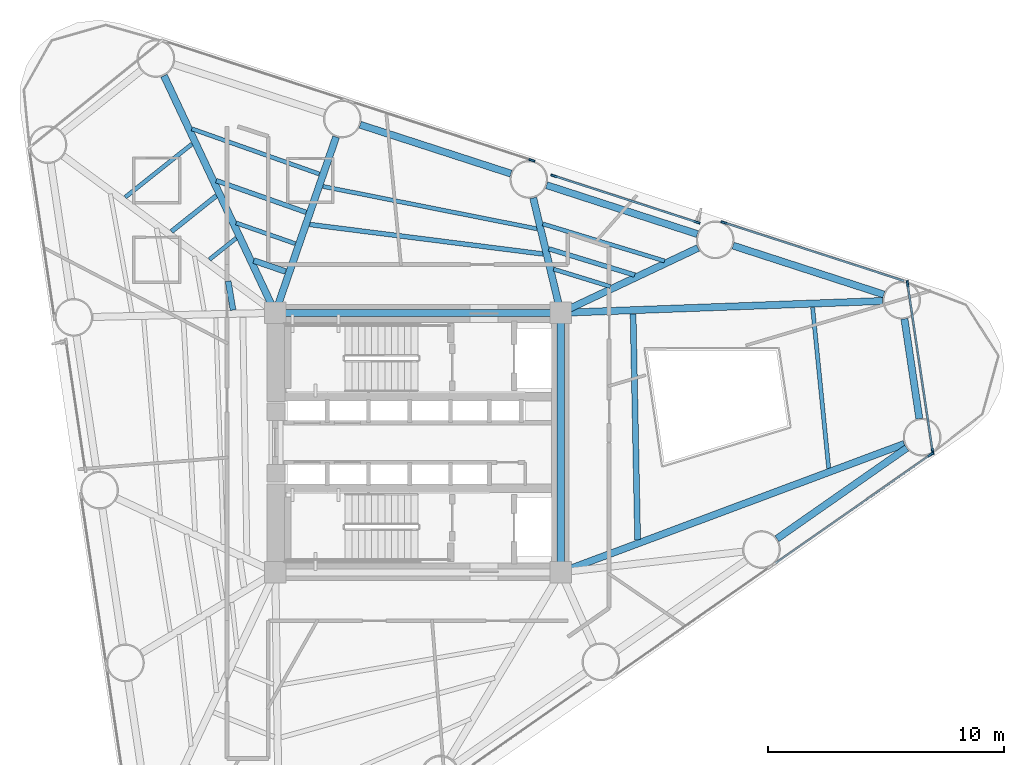
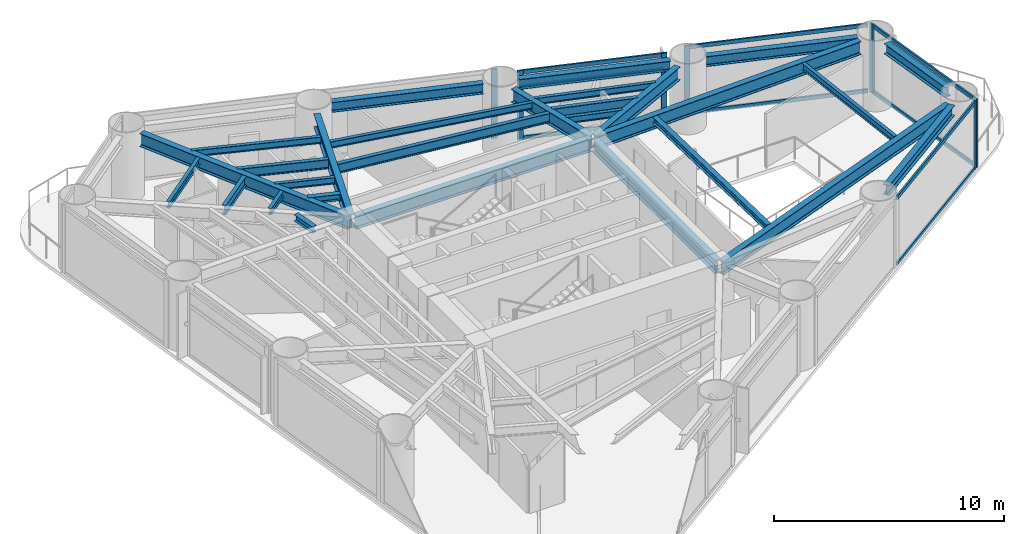
# One storey, part 3 of 9: 28 beams, 16 members, 5 elements without a shape of their own.
"""IFC4 building model written with IfcOpenShell, lengths in metres."""

from ifc_helpers import new_model, si_unit, direction, frame, origin, origin_2d, place, context, subcontext, project, spatial, rectangle, i_section, extrude, source, transform, mapped, material, layer, layer_set, material_profile, profile_set, type_object, element, aggregate, save


model = new_model("IFC4")

# Units and contexts
model_context = context("Model", 3, precision=1e-05, world=origin(), true_north=direction((0.0, 1.0)))
body_context = subcontext(model_context, "Body", "Model", "MODEL_VIEW")
ifc_project = project(units=[si_unit("LENGTHUNIT", "METRE"), si_unit("AREAUNIT", "SQUARE_METRE"), si_unit("VOLUMEUNIT", "CUBIC_METRE"), si_unit("PLANEANGLEUNIT", "RADIAN"), si_unit("MASSUNIT", "GRAM", prefix="KILO")], contexts=[model_context])

# Site, building, storey
site_placement = place(None, origin())
site = spatial("IfcSite", under=ifc_project, at=site_placement, CompositionType="ELEMENT")
building_placement = place(site_placement, origin())
building = spatial("IfcBuilding", under=site, at=building_placement, Name="Yunling Apex Tower", CompositionType="ELEMENT")
storey_placement = place(building_placement, frame((0.0, 0.0, 69.800048828125)))
storey = spatial("IfcBuildingStorey", under=building, at=storey_placement, Name="L18", CompositionType="ELEMENT", Elevation=69.800048828125)

# Beams
ifc_material_1 = material(Name="Steel Q355B", Category="steel")
ifc_material_profile_1 = material_profile(ifc_material_1, i_section(OverallWidth=0.300048828125, OverallDepth=0.699951171875, WebThickness=0.012939453125, FlangeThickness=0.02392578125, FilletRadius=0.02587890625, at=origin_2d()))
ifc_profile_set_1 = profile_set([ifc_material_profile_1], Name="Steel Q355B")
beam_type_1 = type_object("IfcBeamType", Name="BG-PRI-3", PredefinedType="USERDEFINED", material=ifc_profile_set_1)
shared_shape_1 = source(origin(), body_context, "Body", "SweptSolid", [
    extrude(i_section(OverallWidth=0.300048828125, OverallDepth=0.699951171875, WebThickness=0.012939453125, FlangeThickness=0.02392578125, FilletRadius=0.02587890625, at=origin_2d()), origin(), (0.0, 0.0, 1.0), 11.7998046875),
])
beam_1_placement = place(storey_placement, frame((5.89990234375, 5.5, 3.21484375), z_axis=(-1.0, 0.0, 0.0), x_axis=(0.0, -1.0, 0.0)))
element("IfcBeam", 1, at=beam_1_placement, inside=storey, type_object=beam_type_1, Name="L18 Core Ring Tie Beam 3", ObjectType="GIRDER", PredefinedType="USERDEFINED", context=body_context, shape_type="MappedRepresentation", body=[
    mapped(shared_shape_1, transform((0.0, 0.0, 0.0), scale=1.0)),
])
shared_shape_2 = source(origin(), body_context, "Body", "SweptSolid", [
    extrude(i_section(OverallWidth=0.300048828125, OverallDepth=0.699951171875, WebThickness=0.012939453125, FlangeThickness=0.02392578125, FilletRadius=0.02587890625, at=origin_2d()), origin(), (0.0, 0.0, 1.0), 10.7001953125),
])
beam_2_placement = place(storey_placement, frame((6.050048828125, -5.35009765625, 3.21484375), z_axis=(0.0, 1.0, 0.0), x_axis=(-1.0, 0.0, 0.0)))
element("IfcBeam", 2, at=beam_2_placement, inside=storey, type_object=beam_type_1, Name="L18 Core Ring Tie Beam 2", ObjectType="GIRDER", PredefinedType="USERDEFINED", context=body_context, shape_type="MappedRepresentation", body=[
    mapped(shared_shape_2, transform((0.0, 0.0, 0.0), scale=1.0)),
])
ifc_material_profile_2 = material_profile(ifc_material_1, i_section(OverallWidth=0.300048828125, OverallDepth=0.5400390625, WebThickness=0.011962890625, FlangeThickness=0.02001953125, FilletRadius=0.02392578125, at=origin_2d()))
ifc_profile_set_2 = profile_set([ifc_material_profile_2], Name="Steel Q355B")
beam_type_2 = type_object("IfcBeamType", Name="BP-SPN-1", PredefinedType="SPANDREL", material=ifc_profile_set_2)
shared_shape_3 = source(origin(), body_context, "Body", "SweptSolid", [
    extrude(i_section(OverallWidth=0.300048828125, OverallDepth=0.5400390625, WebThickness=0.011962890625, FlangeThickness=0.02001953125, FilletRadius=0.02392578125, at=origin_2d()), origin(), (0.0, 0.0, 1.0), 6.721435546875),
])
for number, where, z_axis, x_axis, name in (
    (3, (15.212158203125, -4.08056640625, 3.294921875), (0.81955772083, 0.572996633697, 0.0), (-0.572996633697, 0.81955772083, 0.0), "L18 Perimeter Spandrel Beam 4"),
    (4, (19.748291015625, 6.277099609375, 3.294921875), (-0.95126256707, 0.308382114415, 0.0), (-0.308382114415, -0.95126256707, 0.0), "L18 Perimeter Spandrel Beam 6"),
    (5, (3.939453125, 11.401611328125, 3.294921875), (-0.95126256707, 0.308382114415, 0.0), (-0.308382114415, -0.95126256707, 0.0), "L18 Perimeter Spandrel Beam 8"),
):
    element("IfcBeam", number, at=place(storey_placement, frame(where, z_axis=z_axis, x_axis=x_axis)), inside=storey, type_object=beam_type_2, Name=name, PredefinedType="SPANDREL", context=body_context, shape_type="MappedRepresentation", body=[
        mapped(shared_shape_3, transform((0.0, 0.0, 0.0), scale=1.0)),
    ])
shared_shape_4 = source(origin(), body_context, "Body", "SweptSolid", [
    extrude(i_section(OverallWidth=0.300048828125, OverallDepth=0.5400390625, WebThickness=0.011962890625, FlangeThickness=0.02001953125, FilletRadius=0.02392578125, at=origin_2d()), origin(), (0.0, 0.0, 1.0), 4.283203125),
])
beam_3_placement = place(storey_placement, frame((21.25390625, 1.010986328125, 3.294921875), z_axis=(-0.147802479388, 0.989016899293, 0.0), x_axis=(-0.989016899293, -0.147802479388, 0.0)))
element("IfcBeam", 6, at=beam_3_placement, inside=storey, type_object=beam_type_2, Name="L18 Perimeter Spandrel Beam 5", PredefinedType="SPANDREL", context=body_context, shape_type="MappedRepresentation", body=[
    mapped(shared_shape_4, transform((0.0, 0.0, 0.0), scale=1.0)),
])
shared_shape_5 = source(origin(), body_context, "Body", "SweptSolid", [
    extrude(i_section(OverallWidth=0.300048828125, OverallDepth=0.5400390625, WebThickness=0.011962890625, FlangeThickness=0.02001953125, FilletRadius=0.02392578125, at=origin_2d()), origin(), (0.0, 0.0, 1.0), 6.72119140625),
])
beam_4_placement = place(storey_placement, frame((11.84375, 8.83935546875, 3.294921875), z_axis=(-0.951259112593, 0.308392770197, 0.0), x_axis=(-0.308392770197, -0.951259112593, 0.0)))
element("IfcBeam", 7, at=beam_4_placement, inside=storey, type_object=beam_type_2, Name="L18 Perimeter Spandrel Beam 7", PredefinedType="SPANDREL", context=body_context, shape_type="MappedRepresentation", body=[
    mapped(shared_shape_5, transform((0.0, 0.0, 0.0), scale=1.0)),
])
shared_shape_6 = source(origin(), body_context, "Body", "SweptSolid", [
    extrude(i_section(OverallWidth=0.300048828125, OverallDepth=0.699951171875, WebThickness=0.012939453125, FlangeThickness=0.02392578125, FilletRadius=0.02587890625, at=origin_2d()), origin(), (0.0, 0.0, 1.0), 15.46826171875),
])
beam_5_placement = place(storey_placement, frame((20.614501953125, -0.05712890625, 3.21484375), z_axis=(-0.936727481876, -0.350059458804, 0.0), x_axis=(0.350059458804, -0.936727481876, 0.0)))
element("IfcBeam", 8, at=beam_5_placement, inside=storey, type_object=beam_type_1, Name="L18 Radial Primary Girder R05", ObjectType="GIRDER", PredefinedType="USERDEFINED", context=body_context, shape_type="MappedRepresentation", body=[
    mapped(shared_shape_6, transform((0.0, 0.0, 0.0), scale=1.0)),
])
shared_shape_7 = source(origin(), body_context, "Body", "SweptSolid", [
    extrude(i_section(OverallWidth=0.300048828125, OverallDepth=0.699951171875, WebThickness=0.012939453125, FlangeThickness=0.02392578125, FilletRadius=0.02587890625, at=origin_2d()), origin(), (0.0, 0.0, 1.0), 13.575439453125),
])
beam_6_placement = place(storey_placement, frame((19.696044921875, 6.002685546875, 3.21484375), z_axis=(-0.99932215556, -0.036813440575, 0.0), x_axis=(0.036813440575, -0.99932215556, 0.0)))
element("IfcBeam", 9, at=beam_6_placement, inside=storey, type_object=beam_type_1, Name="L18 Radial Primary Girder R06", ObjectType="GIRDER", PredefinedType="USERDEFINED", context=body_context, shape_type="MappedRepresentation", body=[
    mapped(shared_shape_7, transform((0.0, 0.0, 0.0), scale=1.0)),
])
shared_shape_8 = source(origin(), body_context, "Body", "SweptSolid", [
    extrude(i_section(OverallWidth=0.300048828125, OverallDepth=0.699951171875, WebThickness=0.012939453125, FlangeThickness=0.02392578125, FilletRadius=0.02587890625, at=origin_2d()), origin(), (0.0, 0.0, 1.0), 6.35546875),
])
beam_7_placement = place(storey_placement, frame((11.86865234375, 8.24951171875, 3.21484375), z_axis=(-0.90414025985, -0.427235755196, 0.0), x_axis=(0.427235755196, -0.90414025985, 0.0)))
element("IfcBeam", 10, at=beam_7_placement, inside=storey, type_object=beam_type_1, Name="L18 Radial Primary Girder R07", ObjectType="GIRDER", PredefinedType="USERDEFINED", context=body_context, shape_type="MappedRepresentation", body=[
    mapped(shared_shape_8, transform((0.0, 0.0, 0.0), scale=1.0)),
])
shared_shape_9 = source(origin(), body_context, "Body", "SweptSolid", [
    extrude(i_section(OverallWidth=0.300048828125, OverallDepth=0.699951171875, WebThickness=0.012939453125, FlangeThickness=0.02392578125, FilletRadius=0.02587890625, at=origin_2d()), origin(), (0.0, 0.0, 1.0), 4.928955078125),
])
beam_8_placement = place(storey_placement, frame((4.883056640625, 10.37109375, 3.21484375), z_axis=(0.233002001977, -0.972476255276, 0.0), x_axis=(0.972476255276, 0.233002001977, 0.0)))
element("IfcBeam", 11, at=beam_8_placement, inside=storey, type_object=beam_type_1, Name="L18 Radial Primary Girder R08", ObjectType="GIRDER", PredefinedType="USERDEFINED", context=body_context, shape_type="MappedRepresentation", body=[
    mapped(shared_shape_9, transform((0.0, 0.0, 0.0), scale=1.0)),
])
shared_shape_10 = source(origin(), body_context, "Body", "SweptSolid", [
    extrude(i_section(OverallWidth=0.300048828125, OverallDepth=0.699951171875, WebThickness=0.012939453125, FlangeThickness=0.02392578125, FilletRadius=0.02587890625, at=origin_2d()), origin(), (0.0, 0.0, 1.0), 7.807861328125),
])
beam_9_placement = place(storey_placement, frame((-3.473388671875, 12.955322265625, 3.21484375), z_axis=(-0.326658398033, -0.945142471268, 0.0), x_axis=(0.945142471268, -0.326658398033, 0.0)))
element("IfcBeam", 12, at=beam_9_placement, inside=storey, type_object=beam_type_1, Name="L18 Radial Primary Girder R09", ObjectType="GIRDER", PredefinedType="USERDEFINED", context=body_context, shape_type="MappedRepresentation", body=[
    mapped(shared_shape_10, transform((0.0, 0.0, 0.0), scale=1.0)),
])
shared_shape_11 = source(origin(), body_context, "Body", "SweptSolid", [
    extrude(i_section(OverallWidth=0.300048828125, OverallDepth=0.699951171875, WebThickness=0.012939453125, FlangeThickness=0.02392578125, FilletRadius=0.02587890625, at=origin_2d()), origin(), (0.0, 0.0, 1.0), 11.0234375),
])
beam_10_placement = place(storey_placement, frame((-10.7705078125, 15.550048828125, 3.21484375), z_axis=(0.425144169149, -0.905125646216, 0.0), x_axis=(0.905125646216, 0.425144169149, 0.0)))
element("IfcBeam", 13, at=beam_10_placement, inside=storey, type_object=beam_type_1, Name="L18 Radial Primary Girder R10", ObjectType="GIRDER", PredefinedType="USERDEFINED", context=body_context, shape_type="MappedRepresentation", body=[
    mapped(shared_shape_11, transform((0.0, 0.0, 0.0), scale=1.0)),
])
ifc_material_profile_3 = material_profile(ifc_material_1, i_section(OverallWidth=0.175048828125, OverallDepth=0.35009765625, WebThickness=0.007080078125, FlangeThickness=0.010986328125, FilletRadius=0.013916015625, at=origin_2d()))
ifc_profile_set_3 = profile_set([ifc_material_profile_3], Name="Steel Q355B")
beam_type_3 = type_object("IfcBeamType", Name="BJ-JST-1", PredefinedType="JOIST", material=ifc_profile_set_3)
shared_shape_12 = source(origin(), body_context, "Body", "SweptSolid", [
    extrude(i_section(OverallWidth=0.175048828125, OverallDepth=0.35009765625, WebThickness=0.007080078125, FlangeThickness=0.010986328125, FilletRadius=0.013916015625, at=origin_2d()), origin(), (0.0, 0.0, 1.0), 6.856689453125),
])
beam_11_placement = place(storey_placement, frame((17.410888671875, -1.089111328125, 3.389892578125), z_axis=(-0.099697612772, 0.995017781754, 0.0), x_axis=(-0.995017781754, -0.099697612772, 0.0)))
element("IfcBeam", 14, at=beam_11_placement, inside=storey, type_object=beam_type_3, Name="L18 Composite Floor Joist BJ1-5", PredefinedType="JOIST", context=body_context, shape_type="MappedRepresentation", body=[
    mapped(shared_shape_12, transform((0.0, 0.0, 0.0), scale=1.0)),
])
ifc_material_profile_4 = material_profile(ifc_material_1, i_section(OverallWidth=0.25, OverallDepth=0.340087890625, WebThickness=0.009033203125, FlangeThickness=0.013916015625, FilletRadius=0.01806640625, at=origin_2d()))
ifc_profile_set_4 = profile_set([ifc_material_profile_4], Name="Steel Q355B")
beam_type_4 = type_object("IfcBeamType", Name="BJ-JST-2", PredefinedType="JOIST", material=ifc_profile_set_4)
shared_shape_13 = source(origin(), body_context, "Body", "SweptSolid", [
    extrude(i_section(OverallWidth=0.25, OverallDepth=0.340087890625, WebThickness=0.009033203125, FlangeThickness=0.013916015625, FilletRadius=0.01806640625, at=origin_2d()), origin(), (0.0, 0.0, 1.0), 9.57568359375),
])
beam_12_placement = place(storey_placement, frame((9.309326171875, -4.120849609375, 3.39501953125), z_axis=(-0.020014350968, 0.999799692816, 0.0), x_axis=(-0.999799692816, -0.020014350968, 0.0)))
element("IfcBeam", 15, at=beam_12_placement, inside=storey, type_object=beam_type_4, Name="L18 Composite Floor Joist BJ2-5", PredefinedType="JOIST", context=body_context, shape_type="MappedRepresentation", body=[
    mapped(shared_shape_13, transform((0.0, 0.0, 0.0), scale=1.0)),
])
ifc_material_profile_5 = material_profile(ifc_material_1, i_section(OverallWidth=0.199951171875, OverallDepth=0.5, WebThickness=0.010009765625, FlangeThickness=0.01611328125, FilletRadius=0.02001953125, at=origin_2d()))
ifc_profile_set_5 = profile_set([ifc_material_profile_5], Name="Steel Q355B")
beam_type_5 = type_object("IfcBeamType", Name="BS-SEC-2", PredefinedType="BEAM", material=ifc_profile_set_5)
shared_shape_14 = source(origin(), body_context, "Body", "SweptSolid", [
    extrude(i_section(OverallWidth=0.199951171875, OverallDepth=0.5, WebThickness=0.010009765625, FlangeThickness=0.01611328125, FilletRadius=0.02001953125, at=origin_2d()), origin(), (0.0, 0.0, 1.0), 3.812255859375),
])
beam_13_placement = place(storey_placement, frame((9.187255859375, 7.1015625, 3.31494140625), z_axis=(-0.956390339833, 0.292091625819, 0.0), x_axis=(-0.292091625819, -0.956390339833, 0.0)))
element("IfcBeam", 16, at=beam_13_placement, inside=storey, type_object=beam_type_5, Name="L18 Composite Floor Beam BS-7", PredefinedType="BEAM", context=body_context, shape_type="MappedRepresentation", body=[
    mapped(shared_shape_14, transform((0.0, 0.0, 0.0), scale=1.0)),
])
shared_shape_15 = source(origin(), body_context, "Body", "SweptSolid", [
    extrude(i_section(OverallWidth=0.175048828125, OverallDepth=0.35009765625, WebThickness=0.007080078125, FlangeThickness=0.010986328125, FilletRadius=0.013916015625, at=origin_2d()), origin(), (0.0, 0.0, 1.0), 5.396484375),
])
beam_14_placement = place(storey_placement, frame((10.451416015625, 7.698486328125, 3.389892578125), z_axis=(-0.95665799, 0.291213822077, 0.0), x_axis=(-0.291213822077, -0.95665799, 0.0)))
element("IfcBeam", 17, at=beam_14_placement, inside=storey, type_object=beam_type_3, Name="L18 Composite Floor Joist BJ1-7", PredefinedType="JOIST", context=body_context, shape_type="MappedRepresentation", body=[
    mapped(shared_shape_15, transform((0.0, 0.0, 0.0), scale=1.0)),
])
shared_shape_16 = source(origin(), body_context, "Body", "SweptSolid", [
    extrude(i_section(OverallWidth=0.175048828125, OverallDepth=0.35009765625, WebThickness=0.007080078125, FlangeThickness=0.010986328125, FilletRadius=0.013916015625, at=origin_2d()), origin(), (0.0, 0.0, 1.0), 2.516357421875),
])
beam_15_placement = place(storey_placement, frame((8.153076171875, 6.613037109375, 3.389892578125), z_axis=(-0.955871264671, 0.293785849515, 0.0), x_axis=(-0.293785849515, -0.955871264671, 0.0)))
element("IfcBeam", 18, at=beam_15_placement, inside=storey, type_object=beam_type_3, Name="L18 Composite Floor Joist BJ3-7", PredefinedType="JOIST", context=body_context, shape_type="MappedRepresentation", body=[
    mapped(shared_shape_16, transform((0.0, 0.0, 0.0), scale=1.0)),
])
shared_shape_17 = source(origin(), body_context, "Body", "SweptSolid", [
    extrude(i_section(OverallWidth=0.199951171875, OverallDepth=0.5, WebThickness=0.010009765625, FlangeThickness=0.01611328125, FilletRadius=0.02001953125, at=origin_2d()), origin(), (0.0, 0.0, 1.0), 9.967529296875),
])
beam_16_placement = place(storey_placement, frame((5.298583984375, 7.994384765625, 3.31494140625), z_axis=(-0.992092895005, 0.125505727681, 0.0), x_axis=(-0.125505727681, -0.992092895005, 0.0)))
element("IfcBeam", 19, at=beam_16_placement, inside=storey, type_object=beam_type_5, Name="L18 Composite Floor Beam BS-8", PredefinedType="BEAM", context=body_context, shape_type="MappedRepresentation", body=[
    mapped(shared_shape_17, transform((0.0, 0.0, 0.0), scale=1.0)),
])
shared_shape_18 = source(origin(), body_context, "Body", "SweptSolid", [
    extrude(i_section(OverallWidth=0.175048828125, OverallDepth=0.35009765625, WebThickness=0.007080078125, FlangeThickness=0.010986328125, FilletRadius=0.013916015625, at=origin_2d()), origin(), (0.0, 0.0, 1.0), 9.254638671875),
])
beam_17_placement = place(storey_placement, frame((5.047607421875, 9.06005859375, 3.389892578125), z_axis=(-0.98094926536, 0.194264095472, 0.0), x_axis=(-0.194264095472, -0.98094926536, 0.0)))
element("IfcBeam", 20, at=beam_17_placement, inside=storey, type_object=beam_type_3, Name="L18 Composite Floor Joist BJ1-8", PredefinedType="JOIST", context=body_context, shape_type="MappedRepresentation", body=[
    mapped(shared_shape_18, transform((0.0, 0.0, 0.0), scale=1.0)),
])
shared_shape_19 = source(origin(), body_context, "Body", "SweptSolid", [
    extrude(i_section(OverallWidth=0.199951171875, OverallDepth=0.5, WebThickness=0.010009765625, FlangeThickness=0.01611328125, FilletRadius=0.02001953125, at=origin_2d()), origin(), (0.0, 0.0, 1.0), 4.04150390625),
])
beam_18_placement = place(storey_placement, frame((-4.74658203125, 9.761474609375, 3.31494140625), z_axis=(-0.942979180686, 0.332851715924, 0.0), x_axis=(-0.332851715924, -0.942979180686, 0.0)))
element("IfcBeam", 21, at=beam_18_placement, inside=storey, type_object=beam_type_5, Name="L18 Composite Floor Beam BS-9", PredefinedType="BEAM", context=body_context, shape_type="MappedRepresentation", body=[
    mapped(shared_shape_19, transform((0.0, 0.0, 0.0), scale=1.0)),
])
shared_shape_20 = source(origin(), body_context, "Body", "SweptSolid", [
    extrude(i_section(OverallWidth=0.175048828125, OverallDepth=0.35009765625, WebThickness=0.007080078125, FlangeThickness=0.010986328125, FilletRadius=0.013916015625, at=origin_2d()), origin(), (0.0, 0.0, 1.0), 5.733154296875),
])
beam_19_placement = place(storey_placement, frame((-4.185302734375, 11.38525390625, 3.389892578125), z_axis=(-0.942485311423, 0.334247569553, 0.0), x_axis=(-0.334247569553, -0.942485311423, 0.0)))
element("IfcBeam", 22, at=beam_19_placement, inside=storey, type_object=beam_type_3, Name="L18 Composite Floor Joist BJ1-9", PredefinedType="JOIST", context=body_context, shape_type="MappedRepresentation", body=[
    mapped(shared_shape_20, transform((0.0, 0.0, 0.0), scale=1.0)),
])
shared_shape_21 = source(origin(), body_context, "Body", "SweptSolid", [
    extrude(i_section(OverallWidth=0.175048828125, OverallDepth=0.35009765625, WebThickness=0.007080078125, FlangeThickness=0.010986328125, FilletRadius=0.013916015625, at=origin_2d()), origin(), (0.0, 0.0, 1.0), 2.657470703125),
])
beam_20_placement = place(storey_placement, frame((-5.205810546875, 8.432861328125, 3.389892578125), z_axis=(-0.943816811427, 0.330469100623, 0.0), x_axis=(-0.330469100623, -0.943816811427, 0.0)))
element("IfcBeam", 23, at=beam_20_placement, inside=storey, type_object=beam_type_3, Name="L18 Composite Floor Joist BJ3-9", PredefinedType="JOIST", context=body_context, shape_type="MappedRepresentation", body=[
    mapped(shared_shape_21, transform((0.0, 0.0, 0.0), scale=1.0)),
])
shared_shape_22 = source(origin(), body_context, "Body", "SweptSolid", [
    extrude(i_section(OverallWidth=0.25, OverallDepth=0.340087890625, WebThickness=0.009033203125, FlangeThickness=0.013916015625, FilletRadius=0.01806640625, at=origin_2d()), origin(), (0.0, 0.0, 1.0), 1.42724609375),
])
beam_21_placement = place(storey_placement, frame((-5.614013671875, 7.251220703125, 3.39501953125), z_axis=(-0.94564715029, 0.325194506639, 0.0), x_axis=(-0.325194506639, -0.94564715029, 0.0)))
element("IfcBeam", 24, at=beam_21_placement, inside=storey, type_object=beam_type_4, Name="L18 Composite Floor Joist BJ2-9", PredefinedType="JOIST", context=body_context, shape_type="MappedRepresentation", body=[
    mapped(shared_shape_22, transform((0.0, 0.0, 0.0), scale=1.0)),
])
shared_shape_23 = source(origin(), body_context, "Body", "SweptSolid", [
    extrude(i_section(OverallWidth=0.199951171875, OverallDepth=0.5, WebThickness=0.010009765625, FlangeThickness=0.01611328125, FilletRadius=0.02001953125, at=origin_2d()), origin(), (0.0, 0.0, 1.0), 2.4287109375),
])
beam_22_placement = place(storey_placement, frame((-8.552490234375, 10.46142578125, 3.31494140625), z_axis=(-0.782093234133, -0.62316143424, 0.0), x_axis=(0.62316143424, -0.782093234133, 0.0)))
element("IfcBeam", 25, at=beam_22_placement, inside=storey, type_object=beam_type_5, Name="L18 Composite Floor Beam BS-10", PredefinedType="BEAM", context=body_context, shape_type="MappedRepresentation", body=[
    mapped(shared_shape_23, transform((0.0, 0.0, 0.0), scale=1.0)),
])
shared_shape_24 = source(origin(), body_context, "Body", "SweptSolid", [
    extrude(i_section(OverallWidth=0.175048828125, OverallDepth=0.35009765625, WebThickness=0.007080078125, FlangeThickness=0.010986328125, FilletRadius=0.013916015625, at=origin_2d()), origin(), (0.0, 0.0, 1.0), 3.62060546875),
])
beam_23_placement = place(storey_placement, frame((-9.58349609375, 12.656494140625, 3.389892578125), z_axis=(-0.782123735438, -0.623123151925, 0.0), x_axis=(0.623123151925, -0.782123735438, 0.0)))
element("IfcBeam", 26, at=beam_23_placement, inside=storey, type_object=beam_type_3, Name="L18 Composite Floor Joist BJ1-10", PredefinedType="JOIST", context=body_context, shape_type="MappedRepresentation", body=[
    mapped(shared_shape_24, transform((0.0, 0.0, 0.0), scale=1.0)),
])
shared_shape_25 = source(origin(), body_context, "Body", "SweptSolid", [
    extrude(i_section(OverallWidth=0.175048828125, OverallDepth=0.35009765625, WebThickness=0.007080078125, FlangeThickness=0.010986328125, FilletRadius=0.013916015625, at=origin_2d()), origin(), (0.0, 0.0, 1.0), 1.453369140625),
])
beam_24_placement = place(storey_placement, frame((-7.708740234375, 8.66552734375, 3.389892578125), z_axis=(-0.78201477261, -0.62325989396, 0.0), x_axis=(0.62325989396, -0.78201477261, 0.0)))
element("IfcBeam", 27, at=beam_24_placement, inside=storey, type_object=beam_type_3, Name="L18 Composite Floor Joist BJ3-10", PredefinedType="JOIST", context=body_context, shape_type="MappedRepresentation", body=[
    mapped(shared_shape_25, transform((0.0, 0.0, 0.0), scale=1.0)),
])
shared_shape_26 = source(origin(), body_context, "Body", "SweptSolid", [
    extrude(i_section(OverallWidth=0.25, OverallDepth=0.340087890625, WebThickness=0.009033203125, FlangeThickness=0.013916015625, FilletRadius=0.01806640625, at=origin_2d()), origin(), (0.0, 0.0, 1.0), 1.242431640625),
])
beam_25_placement = place(storey_placement, frame((-8.05078125, 6.84228515625, 3.39501953125), z_axis=(0.168412893697, -0.985716540004, 0.0), x_axis=(0.985716540004, 0.168412893697, 0.0)))
element("IfcBeam", 28, at=beam_25_placement, inside=storey, type_object=beam_type_4, Name="L18 Composite Floor Joist BJ2-11", PredefinedType="JOIST", context=body_context, shape_type="MappedRepresentation", body=[
    mapped(shared_shape_26, transform((0.0, 0.0, 0.0), scale=1.0)),
])

# Curtain wall, member
ifc_material_2 = material(Name="Bronze anodised aluminium", Category="aluminium")
ifc_layer = layer(ifc_material_2, 0.260009765625)
ifc_layer_set = layer_set([ifc_layer], Name="Bronze anodised aluminium")
curtain_wall_type = type_object("IfcCurtainWallType", Name="CW-SYS-2", PredefinedType="NOTDEFINED", material=ifc_layer_set)
curtain_wall_1_placement = place(storey_placement, origin())
curtain_wall_1 = element("IfcCurtainWall", 29, at=curtain_wall_1_placement, inside=storey, type_object=curtain_wall_type, Name="CW-L18-F1-B4", PredefinedType="NOTDEFINED")
ifc_material_profile_6 = material_profile(ifc_material_2, rectangle(XDim=0.0849609375, YDim=0.260009765625, at=origin_2d()))
ifc_profile_set_6 = profile_set([ifc_material_profile_6], Name="Bronze anodised aluminium")
member_type_1 = type_object("IfcMemberType", Name="CW-MUL-2", PredefinedType="MULLION", material=ifc_profile_set_6)
shared_shape_27 = source(origin(), body_context, "Body", "SweptSolid", [
    extrude(rectangle(XDim=0.0849609375, YDim=0.260009765625, at=origin_2d()), origin(), (0.0, 0.0, 1.0), 3.6650390625),
])
member_1_placement = place(storey_placement, frame((21.735107421875, -0.50830078125, -0.050048828125), z_axis=(0.0, 0.0, 1.0), x_axis=(-0.573004358875, 0.819552319691, 0.0)))
member_1 = element("IfcMember", 30, at=member_1_placement, type_object=member_type_1, Name="CW-SYS-2 mullion 2", PredefinedType="MULLION", context=body_context, shape_type="MappedRepresentation", body=[
    mapped(shared_shape_27, transform((0.0, 0.0, 0.0), scale=1.0)),
])

# Curtain wall, members
curtain_wall_2_placement = place(storey_placement, origin())
curtain_wall_2 = element("IfcCurtainWall", 31, at=curtain_wall_2_placement, inside=storey, type_object=curtain_wall_type, Name="CW-L18-CRN1", PredefinedType="NOTDEFINED")
member_2_placement = place(storey_placement, frame((21.817626953125, -0.379638671875, -0.050048828125), z_axis=(0.0, 0.0, 1.0), x_axis=(-0.989017551472, -0.147798115278, 0.0)))
member_2 = element("IfcMember", 32, at=member_2_placement, type_object=member_type_1, Name="CW-SYS-2 mullion 1", PredefinedType="MULLION", context=body_context, shape_type="MappedRepresentation", body=[
    mapped(shared_shape_27, transform((0.0, 0.0, 0.0), scale=1.0)),
])
member_3_placement = place(storey_placement, frame((20.75341796875, 6.741943359375, -0.050048828125), z_axis=(0.0, 0.0, 1.0), x_axis=(-0.989017551472, -0.147798115278, 0.0)))
member_3 = element("IfcMember", 33, at=member_3_placement, type_object=member_type_1, Name="CW-SYS-2 mullion 2", PredefinedType="MULLION", context=body_context, shape_type="MappedRepresentation", body=[
    mapped(shared_shape_27, transform((0.0, 0.0, 0.0), scale=1.0)),
])

# Curtain wall, member
curtain_wall_3_placement = place(storey_placement, origin())
curtain_wall_3 = element("IfcCurtainWall", 34, at=curtain_wall_3_placement, inside=storey, type_object=curtain_wall_type, Name="CW-L18-F2-B1", PredefinedType="NOTDEFINED")
member_4_placement = place(storey_placement, frame((12.96533203125, 9.327392578125, -0.050048828125), z_axis=(0.0, 0.0, 1.0), x_axis=(-0.30835735341, -0.951270593784, 0.0)))
member_4 = element("IfcMember", 35, at=member_4_placement, type_object=member_type_1, Name="CW-SYS-2 mullion 2", PredefinedType="MULLION", context=body_context, shape_type="MappedRepresentation", body=[
    mapped(shared_shape_27, transform((0.0, 0.0, 0.0), scale=1.0)),
])

# Curtain wall, members
curtain_wall_4_placement = place(storey_placement, origin())
curtain_wall_4 = element("IfcCurtainWall", 36, at=curtain_wall_4_placement, inside=storey, type_object=curtain_wall_type, Name="CW-L18-F2-B2", PredefinedType="NOTDEFINED")
member_5_placement = place(storey_placement, frame((11.828369140625, 9.338623046875, -0.050048828125), z_axis=(0.0, 0.0, 1.0), x_axis=(-0.308351975608, -0.951272336999, 0.0)))
member_5 = element("IfcMember", 37, at=member_5_placement, type_object=member_type_1, Name="CW-SYS-2 mullion 1", PredefinedType="MULLION", context=body_context, shape_type="MappedRepresentation", body=[
    mapped(shared_shape_27, transform((0.0, 0.0, 0.0), scale=1.0)),
])
member_6_placement = place(storey_placement, frame((5.75537109375, 11.30712890625, -0.050048828125), z_axis=(0.0, 0.0, 1.0), x_axis=(-0.308351975608, -0.951272336999, 0.0)))
member_6 = element("IfcMember", 38, at=member_6_placement, type_object=member_type_1, Name="CW-SYS-2 mullion 2", PredefinedType="MULLION", context=body_context, shape_type="MappedRepresentation", body=[
    mapped(shared_shape_27, transform((0.0, 0.0, 0.0), scale=1.0)),
])

# Curtain wall, member
curtain_wall_5_placement = place(storey_placement, origin())
curtain_wall_5 = element("IfcCurtainWall", 39, at=curtain_wall_5_placement, inside=storey, type_object=curtain_wall_type, Name="CW-L18-F2-B3", PredefinedType="NOTDEFINED")
member_7_placement = place(storey_placement, frame((4.827880859375, 11.965087890625, -0.050048828125), z_axis=(0.0, 0.0, 1.0), x_axis=(-0.308368457544, -0.951266994272, 0.0)))
member_7 = element("IfcMember", 40, at=member_7_placement, type_object=member_type_1, Name="CW-SYS-2 mullion 1", PredefinedType="MULLION", context=body_context, shape_type="MappedRepresentation", body=[
    mapped(shared_shape_27, transform((0.0, 0.0, 0.0), scale=1.0)),
])
aggregate(curtain_wall_5, [member_7])

# Member
ifc_material_profile_7 = material_profile(ifc_material_2, rectangle(XDim=0.0849609375, YDim=0.199951171875, at=origin_2d()))
ifc_profile_set_7 = profile_set([ifc_material_profile_7], Name="Bronze anodised aluminium")
member_type_2 = type_object("IfcMemberType", Name="CW-TRN-2", PredefinedType="USERDEFINED", material=ifc_profile_set_7)
shared_shape_28 = source(origin(), body_context, "Body", "SweptSolid", [
    extrude(rectangle(XDim=0.0849609375, YDim=0.199951171875, at=origin_2d()), origin(), (0.0, 0.0, 1.0), 6.3076171875),
])
member_8_placement = place(storey_placement, frame((11.7919921875, 9.350341796875, 0.04248046875), z_axis=(-0.951267321757, 0.308367447306, 0.0), x_axis=(-0.308367447306, -0.951267321757, 0.0)))
member_8 = element("IfcMember", 41, at=member_8_placement, type_object=member_type_2, Name="CW-SYS-2 transom 1.1", ObjectType="TRANSOM", PredefinedType="USERDEFINED", context=body_context, shape_type="MappedRepresentation", body=[
    mapped(shared_shape_28, transform((0.0, 0.0, 0.0), scale=1.0)),
])

member_9_placement = place(storey_placement, frame((11.7919921875, 9.350341796875, 2.71484375), z_axis=(-0.951267321757, 0.308367447306, 0.0), x_axis=(-0.308367447306, -0.951267321757, 0.0)))
member_9 = element("IfcMember", 42, at=member_9_placement, type_object=member_type_2, Name="CW-SYS-2 transom 1.2", ObjectType="TRANSOM", PredefinedType="USERDEFINED", context=body_context, shape_type="MappedRepresentation", body=[
    mapped(shared_shape_28, transform((0.0, 0.0, 0.0), scale=1.0)),
])

member_10_placement = place(storey_placement, frame((11.7919921875, 9.350341796875, 3.5224609375), z_axis=(-0.951267321757, 0.308367447306, 0.0), x_axis=(-0.308367447306, -0.951267321757, 0.0)))
member_10 = element("IfcMember", 43, at=member_10_placement, type_object=member_type_2, Name="CW-SYS-2 transom 1.3", ObjectType="TRANSOM", PredefinedType="USERDEFINED", context=body_context, shape_type="MappedRepresentation", body=[
    mapped(shared_shape_28, transform((0.0, 0.0, 0.0), scale=1.0)),
])

aggregate(curtain_wall_4, [member_5, member_6, member_8, member_9, member_10])

shared_shape_29 = source(origin(), body_context, "Body", "SweptSolid", [
    extrude(rectangle(XDim=0.0849609375, YDim=0.199951171875, at=origin_2d()), origin(), (0.0, 0.0, 1.0), 7.98779296875),
])
member_11_placement = place(storey_placement, frame((15.1572265625, -5.107177734375, 0.04248046875), z_axis=(0.819559176955, 0.572994550995, 0.0), x_axis=(-0.572994550995, 0.819559176955, 0.0)))
member_11 = element("IfcMember", 44, at=member_11_placement, type_object=member_type_2, Name="CW-SYS-2 transom 1.1", ObjectType="TRANSOM", PredefinedType="USERDEFINED", context=body_context, shape_type="MappedRepresentation", body=[
    mapped(shared_shape_29, transform((0.0, 0.0, 0.0), scale=1.0)),
])

member_12_placement = place(storey_placement, frame((15.1572265625, -5.107177734375, 3.5224609375), z_axis=(0.819559176955, 0.572994550995, 0.0), x_axis=(-0.572994550995, 0.819559176955, 0.0)))
member_12 = element("IfcMember", 45, at=member_12_placement, type_object=member_type_2, Name="CW-SYS-2 transom 1.2", ObjectType="TRANSOM", PredefinedType="USERDEFINED", context=body_context, shape_type="MappedRepresentation", body=[
    mapped(shared_shape_29, transform((0.0, 0.0, 0.0), scale=1.0)),
])

aggregate(curtain_wall_1, [member_1, member_11, member_12])

member_13_placement = place(storey_placement, frame((20.600341796875, 6.8525390625, 0.04248046875), z_axis=(-0.951270077756, 0.308358945331, 0.0), x_axis=(-0.308358945331, -0.951270077756, 0.0)))
member_13 = element("IfcMember", 46, at=member_13_placement, type_object=member_type_2, Name="CW-SYS-2 transom 1.1", ObjectType="TRANSOM", PredefinedType="USERDEFINED", context=body_context, shape_type="MappedRepresentation", body=[
    mapped(shared_shape_29, transform((0.0, 0.0, 0.0), scale=1.0)),
])

member_14_placement = place(storey_placement, frame((20.600341796875, 6.8525390625, 3.5224609375), z_axis=(-0.951270077756, 0.308358945331, 0.0), x_axis=(-0.308358945331, -0.951270077756, 0.0)))
member_14 = element("IfcMember", 47, at=member_14_placement, type_object=member_type_2, Name="CW-SYS-2 transom 1.2", ObjectType="TRANSOM", PredefinedType="USERDEFINED", context=body_context, shape_type="MappedRepresentation", body=[
    mapped(shared_shape_29, transform((0.0, 0.0, 0.0), scale=1.0)),
])

aggregate(curtain_wall_3, [member_4, member_13, member_14])

shared_shape_30 = source(origin(), body_context, "Body", "SweptSolid", [
    extrude(rectangle(XDim=0.0849609375, YDim=0.199951171875, at=origin_2d()), origin(), (0.0, 0.0, 1.0), 7.1240234375),
])
member_15_placement = place(storey_placement, frame((21.81201171875, -0.341796875, 0.04248046875), z_axis=(-0.147804185278, 0.989016644357, 0.0), x_axis=(-0.989016644357, -0.147804185278, 0.0)))
member_15 = element("IfcMember", 48, at=member_15_placement, type_object=member_type_2, Name="CW-SYS-2 transom 1.1", ObjectType="TRANSOM", PredefinedType="USERDEFINED", context=body_context, shape_type="MappedRepresentation", body=[
    mapped(shared_shape_30, transform((0.0, 0.0, 0.0), scale=1.0)),
])

member_16_placement = place(storey_placement, frame((21.81201171875, -0.341796875, 3.5224609375), z_axis=(-0.147804185278, 0.989016644357, 0.0), x_axis=(-0.989016644357, -0.147804185278, 0.0)))
member_16 = element("IfcMember", 49, at=member_16_placement, type_object=member_type_2, Name="CW-SYS-2 transom 1.2", ObjectType="TRANSOM", PredefinedType="USERDEFINED", context=body_context, shape_type="MappedRepresentation", body=[
    mapped(shared_shape_30, transform((0.0, 0.0, 0.0), scale=1.0)),
])

aggregate(curtain_wall_2, [member_2, member_3, member_15, member_16])

save(model, "model.ifc")
